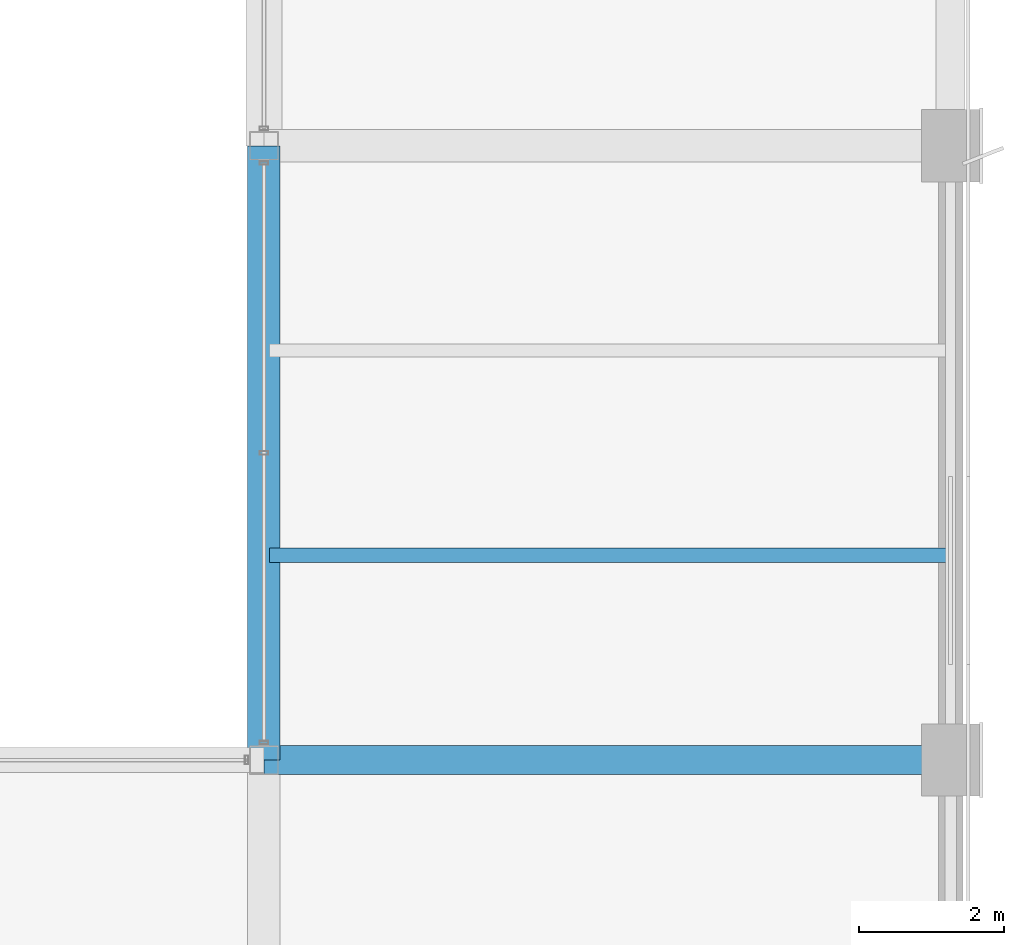
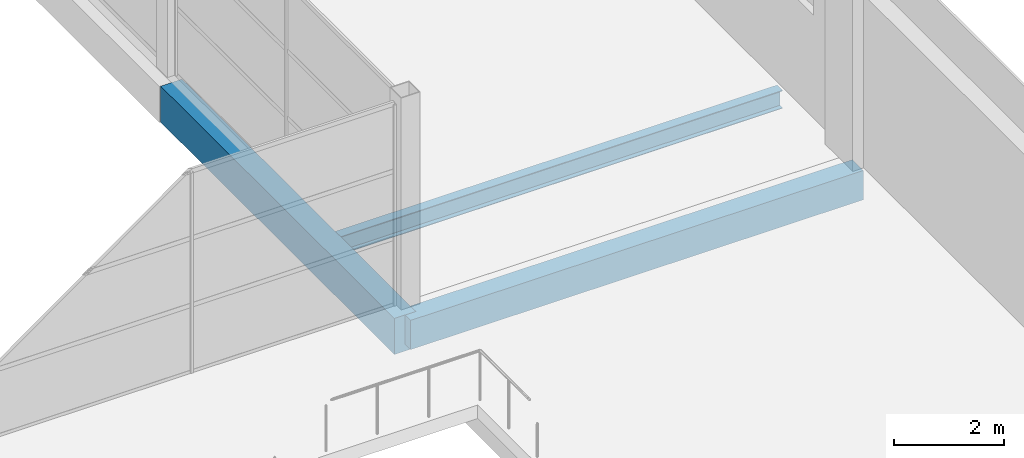
# One storey, part 69 of 112: 3 beams.
"""IFC4 building model written with IfcOpenShell, lengths in metres."""

from ifc_helpers import new_model, si_unit, direction, frame, origin, origin_2d, place, context, subcontext, project, spatial, rectangle, i_section, extrude, material, material_profile, profile_set, type_object, element, save


model = new_model("IFC4")

# Units and contexts
model_context = context("Model", 3, precision=1e-05, world=origin(), true_north=direction((0.0, 1.0)))
body_context = subcontext(model_context, "Body", "Model", "MODEL_VIEW")
ifc_project = project(units=[si_unit("LENGTHUNIT", "METRE"), si_unit("AREAUNIT", "SQUARE_METRE"), si_unit("VOLUMEUNIT", "CUBIC_METRE"), si_unit("PLANEANGLEUNIT", "RADIAN"), si_unit("MASSUNIT", "GRAM", prefix="KILO")], contexts=[model_context])

# Site, building, storey
site_placement = place(None, origin())
site = spatial("IfcSite", under=ifc_project, at=site_placement, CompositionType="ELEMENT")
building_placement = place(site_placement, origin())
building = spatial("IfcBuilding", under=site, at=building_placement, Name="Solvikara Media Centre", CompositionType="ELEMENT")
storey_placement = place(building_placement, frame((0.0, 0.0, 5.39990234375)))
storey = spatial("IfcBuildingStorey", under=building, at=storey_placement, Name="L01", CompositionType="ELEMENT", Elevation=5.39990234375)

# Beams
ifc_material_1 = material(Name="Concrete fc' 35 MPa (C35/45)", Category="concrete")
ifc_material_profile_1 = material_profile(ifc_material_1, rectangle(XDim=0.39990234375, YDim=0.64990234375, at=origin_2d()), Name="RC 400x650")
ifc_profile_set_1 = profile_set([ifc_material_profile_1], Name="Concrete fc' 35 MPa (C35/45)")
beam_type_1 = type_object("IfcBeamType", Name="BM-02", PredefinedType="BEAM", material=ifc_profile_set_1)
beam_1_placement = place(storey_placement, frame((154.5, 72.0, -0.625), z_axis=(1.0, 0.0, 0.0), x_axis=(0.0, 1.0, 0.0)))
element("IfcBeam", 1, at=beam_1_placement, inside=storey, type_object=beam_type_1, Name="B-L01-X0506", PredefinedType="BEAM", context=body_context, shape_type="SweptSolid", body=[
    extrude(rectangle(XDim=0.39990234375, YDim=0.64990234375, at=origin_2d()), origin(), (0.0, 0.0, 1.0), 9.5),
])
ifc_material_profile_2 = material_profile(ifc_material_1, rectangle(XDim=0.449951171875, YDim=0.800048828125, at=origin_2d()), Name="RC 450x800")
ifc_profile_set_2 = profile_set([ifc_material_profile_2], Name="Concrete fc' 35 MPa (C35/45)")
beam_type_2 = type_object("IfcBeamType", Name="BM-06", PredefinedType="BEAM", material=ifc_profile_set_2)
beam_2_placement = place(storey_placement, frame((154.5, 72.0, -0.699951171875), z_axis=(0.0, 1.0, 0.0), x_axis=(-1.0, 0.0, 0.0)))
element("IfcBeam", 2, at=beam_2_placement, inside=storey, type_object=beam_type_2, Name="B-L01-Y0630", PredefinedType="BEAM", context=body_context, shape_type="SweptSolid", body=[
    extrude(rectangle(XDim=0.449951171875, YDim=0.800048828125, at=origin_2d()), origin(), (0.0, 0.0, 1.0), 8.5),
])
ifc_material_2 = material(Name="Steel S355JR", Category="steel")
ifc_material_profile_3 = material_profile(ifc_material_2, i_section(OverallWidth=0.199951171875, OverallDepth=0.39990234375, WebThickness=0.008056640625, FlangeThickness=0.012939453125, at=origin_2d()), Name="WF 400x200x8x13")
ifc_profile_set_3 = profile_set([ifc_material_profile_3], Name="Steel S355JR")
beam_type_3 = type_object("IfcBeamType", Name="BM-21", PredefinedType="JOIST", material=ifc_profile_set_3)
beam_3_placement = place(storey_placement, frame((154.577880859375, 74.8330078125, -0.501953125), z_axis=(1.0, 0.0, 0.0), x_axis=(0.0, 1.0, 0.0)))
element("IfcBeam", 3, at=beam_3_placement, inside=storey, type_object=beam_type_3, Name="J-L01-0809", PredefinedType="JOIST", context=body_context, shape_type="SweptSolid", body=[
    extrude(i_section(OverallWidth=0.199951171875, OverallDepth=0.39990234375, WebThickness=0.008056640625, FlangeThickness=0.012939453125, at=origin_2d()), origin(), (0.0, 0.0, 1.0), 9.422119140625),
])

save(model, "model.ifc")
